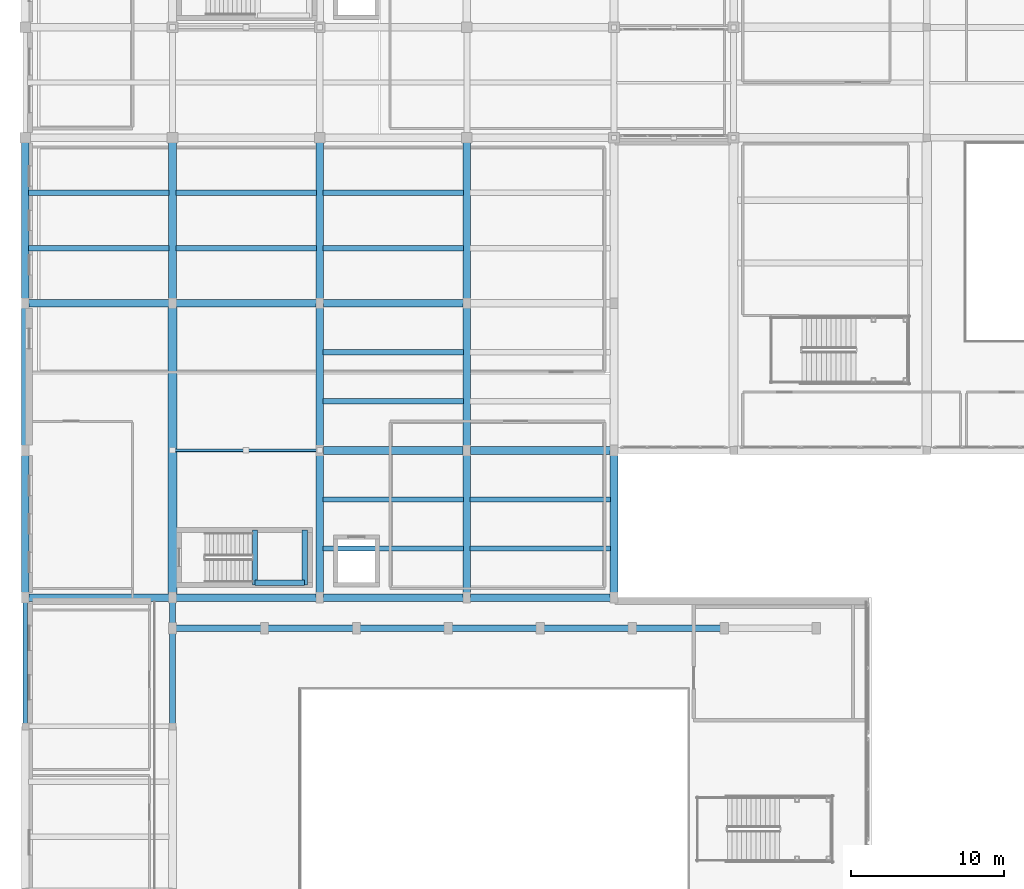
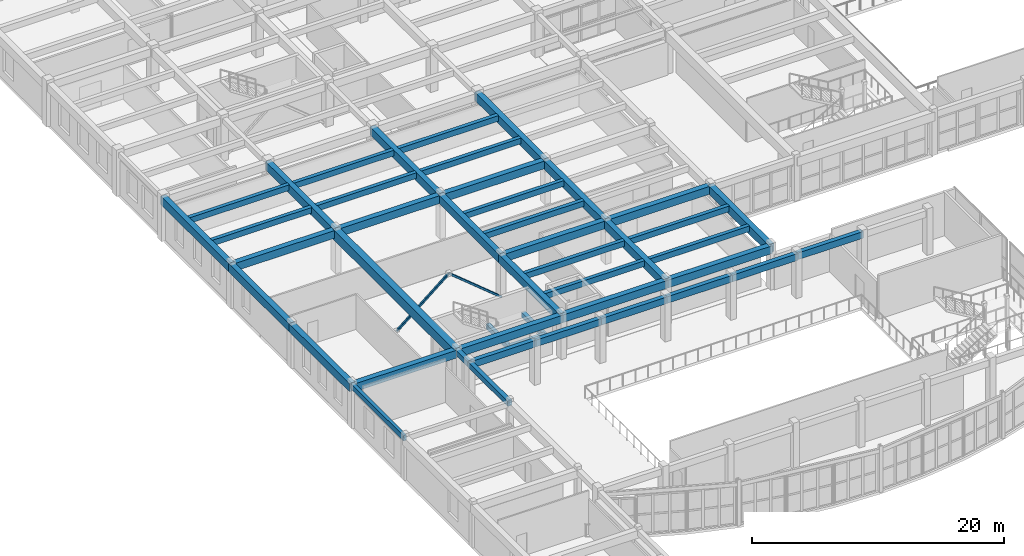
# One storey, part 12 of 92: 45 beams, 2 members.
"""IFC4 building model written with IfcOpenShell, lengths in metres."""

import ifcopenshell
import ifcopenshell.guid

model = None  # the IFC model being written
_history = None  # IfcOwnerHistory: only IFC2X3 demands one
_inside = {}  # id of a spatial element -> (the spatial element, [elements in it])
_under = {}  # id of a project, library or spatial element -> (it, [spatial elements below it])
_declared = {}  # id of a project -> (the project, [libraries it declares])
_typed = {}  # id of a type object -> (the type object, [elements of that type])
_made_of = {}  # id of a material, layer set ... -> (it, [elements and type objects made of it])


def new_model(schema):
    """Start an empty IFC model of exactly this schema.

    Asked for "IFC4X3", IfcOpenShell would pick the latest addendum, in which some entities
    have other attributes; the version numbers below select the first issue.
    IFC2X3 requires an IfcOwnerHistory on every rooted entity: one is made here for all.
    """
    global model, _history
    if schema == "IFC4X3":
        model = ifcopenshell.file(schema_version=(4, 3, 0, 0))
    else:
        model = ifcopenshell.file(schema=schema)
    _inside.clear()
    _under.clear()
    _declared.clear()
    _typed.clear()
    _made_of.clear()
    _history = None
    if model.schema == "IFC2X3":
        org = make("IfcOrganization", Name="unknown")
        user = make(
            "IfcPersonAndOrganization",
            ThePerson=make("IfcPerson", FamilyName="unknown"),
            TheOrganization=org,
        )
        app = make(
            "IfcApplication",
            ApplicationDeveloper=org,
            Version="unknown",
            ApplicationFullName="unknown",
            ApplicationIdentifier="unknown",
        )
        _history = make(
            "IfcOwnerHistory",
            OwningUser=user,
            OwningApplication=app,
            ChangeAction="ADDED",
            CreationDate=0,
        )
    return model


def make(cls, **values):
    """One entity of the class cls with the attributes given. An attribute that is None is left unset."""
    return model.create_entity(
        cls, **{name: value for name, value in values.items() if value is not None}
    )


def rooted(cls, **values):
    """An entity with a GlobalId (a new one), such as an element, a storey or a relation."""
    return make(cls, GlobalId=ifcopenshell.guid.new(), OwnerHistory=_history, **values)


def si_unit(unit_type, name, prefix=None):
    """IfcSIUnit, for example si_unit("LENGTHUNIT", "METRE", prefix="MILLI")."""
    return make("IfcSIUnit", UnitType=unit_type, Prefix=prefix, Name=name)


def assignment(units):
    """IfcUnitAssignment: the units of a project."""
    return None if units is None else make("IfcUnitAssignment", Units=units)


def point(xyz):
    """IfcCartesianPoint."""
    return None if xyz is None else make("IfcCartesianPoint", Coordinates=xyz)


def direction(xyz):
    """IfcDirection."""
    return None if xyz is None else make("IfcDirection", DirectionRatios=xyz)


def frame(location, z_axis=None, x_axis=None):
    """IfcAxis2Placement3D, a coordinate frame: its origin and axes. An axis left out is left unset."""
    return make(
        "IfcAxis2Placement3D",
        Location=point(location),
        Axis=direction(z_axis),
        RefDirection=direction(x_axis),
    )


def frame_2d(location, x_axis=None):
    """IfcAxis2Placement2D, a coordinate frame in the plane: its origin and x axis."""
    return make(
        "IfcAxis2Placement2D", Location=point(location), RefDirection=direction(x_axis)
    )


def origin():
    """The frame at (0, 0, 0) with its axes left unset."""
    return frame((0.0, 0.0, 0.0))


def origin_2d():
    """The frame at (0, 0) in the plane with its x axis left unset."""
    return frame_2d((0.0, 0.0))


def place(relative_to, where):
    """IfcLocalPlacement: puts the frame where relative to a parent placement (None: the world)."""
    return make(
        "IfcLocalPlacement", PlacementRelTo=relative_to, RelativePlacement=where
    )


def context(
    kind, dimensions, precision=None, world=None, true_north=None, identifier=None
):
    """IfcGeometricRepresentationContext, for example the 3D "Model" context."""
    return make(
        "IfcGeometricRepresentationContext",
        ContextIdentifier=identifier,
        ContextType=kind,
        CoordinateSpaceDimension=dimensions,
        Precision=precision,
        WorldCoordinateSystem=world,
        TrueNorth=true_north,
    )


def subcontext(parent, identifier, kind, view, scale=None):
    """IfcGeometricRepresentationSubContext, for example "Body" below "Model"."""
    return make(
        "IfcGeometricRepresentationSubContext",
        ContextIdentifier=identifier,
        ContextType=kind,
        ParentContext=parent,
        TargetScale=scale,
        TargetView=view,
    )


def project(units=None, contexts=None):
    """IfcProject with its units and contexts."""
    return rooted(
        "IfcProject",
        Name="project",
        RepresentationContexts=contexts,
        UnitsInContext=assignment(units),
    )


def spatial(cls, under=None, at=None, **own):
    """A site, building, storey or space (cls), placed at a placement, below another one or the project."""
    s = rooted(cls, ObjectPlacement=at, **own)
    if under is not None:
        _under.setdefault(under.id(), (under, []))[1].append(s)
    return s


def profile(cls, at=None, kind="AREA", **sizes):
    """A parametric profile (cls). Its sizes go by their IFC names, for example OverallWidth=200.0."""
    return make(cls, ProfileType=kind, Position=at, **sizes)


def rectangle(**sizes):
    """IfcRectangleProfileDef."""
    return profile("IfcRectangleProfileDef", **sizes)


def hollow_rectangle(**sizes):
    """IfcRectangleHollowProfileDef."""
    return profile("IfcRectangleHollowProfileDef", **sizes)


def extrude(swept, where, along, depth):
    """IfcExtrudedAreaSolid: the profile swept, set in the frame where, extruded along a direction by depth."""
    return make(
        "IfcExtrudedAreaSolid",
        SweptArea=swept,
        Position=where,
        ExtrudedDirection=direction(along),
        Depth=depth,
    )


def shape(context_of_items, identifier, shape_type, items):
    """IfcShapeRepresentation: the items that make up one representation, for example the "Body"."""
    return make(
        "IfcShapeRepresentation",
        ContextOfItems=context_of_items,
        RepresentationIdentifier=identifier,
        RepresentationType=shape_type,
        Items=items,
    )


def material(Name=None, Category=None):
    """IfcMaterial."""
    return make("IfcMaterial", Name=Name, Category=Category)


def material_profile(
    of_material, cross_section, Name=None, Category=None, Priority=None
):
    """IfcMaterialProfile: a cross section and its material."""
    return make(
        "IfcMaterialProfile",
        Name=Name,
        Material=of_material,
        Profile=cross_section,
        Priority=Priority,
        Category=Category,
    )


def profile_set(profiles, Name=None, composite=None):
    """IfcMaterialProfileSet."""
    return make(
        "IfcMaterialProfileSet",
        Name=Name,
        MaterialProfiles=profiles,
        CompositeProfile=composite,
    )


def made_of(thing, what):
    """Note that an element or type object is made of a material, layer set ...; save() writes the relation."""
    if what is not None:
        _made_of.setdefault(what.id(), (what, []))[1].append(thing)
    return thing


def type_object(cls, material=None, **own):
    """A type object (cls), such as IfcWallType, which elements share."""
    return made_of(rooted(cls, **own), material)


def element(
    cls,
    number,
    at=None,
    inside=None,
    cuts=None,
    type_object=None,
    material=None,
    context=None,
    identifier="Body",
    shape_type=None,
    held_by="IfcProductDefinitionShape",
    body=None,
    shapes=None,
    **own,
):
    """One element of the class cls, such as IfcWall. Its Tag is "e" and its number.

    at: its placement. inside: the storey or other place that contains it. cuts: it is an
    opening in that element (IfcRelVoidsElement). A single representation is given by context,
    identifier, shape_type and body (its items); several are given by shapes. held_by: the class
    of the entity that holds the representations. save() writes the other relations.
    """
    e = rooted(cls, Tag="e%d" % number, ObjectPlacement=at, **own)
    if body is not None:
        shapes = [shape(context, identifier, shape_type, body)]
    if shapes is not None:
        e.Representation = make(held_by, Representations=shapes)
    if inside is not None:
        _inside.setdefault(inside.id(), (inside, []))[1].append(e)
    if cuts is not None:
        rooted(
            "IfcRelVoidsElement", RelatingBuildingElement=cuts, RelatedOpeningElement=e
        )
    if type_object is not None:
        _typed.setdefault(type_object.id(), (type_object, []))[1].append(e)
    return made_of(e, material)


def aggregate(whole, parts):
    """IfcRelAggregates: a whole, such as a stair, and the parts it consists of."""
    return rooted("IfcRelAggregates", RelatingObject=whole, RelatedObjects=parts)


def save(model, path):
    """Write the relations noted so far, then the file.

    IfcRelAggregates (storeys below a building ...), IfcRelContainedInSpatialStructure (elements
    in a storey), IfcRelDefinesByType, IfcRelAssociatesMaterial and IfcRelDeclares: one each for
    every whole, place, type object, material and project.
    """
    for whole, parts in _under.values():
        aggregate(whole, parts)
    for where, things in _inside.values():
        rooted(
            "IfcRelContainedInSpatialStructure",
            RelatedElements=things,
            RelatingStructure=where,
        )
    for kind, things in _typed.values():
        rooted("IfcRelDefinesByType", RelatedObjects=things, RelatingType=kind)
    for what, things in _made_of.values():
        rooted("IfcRelAssociatesMaterial", RelatedObjects=things, RelatingMaterial=what)
    for by, libraries in _declared.values():
        rooted("IfcRelDeclares", RelatingContext=by, RelatedDefinitions=libraries)
    model.write(path)


model = new_model("IFC4")

# Units and contexts
model_context = context("Model", 3, precision=1e-05, world=origin(), true_north=direction((0.0, 1.0)))
body_context = subcontext(model_context, "Body", "Model", "MODEL_VIEW")
ifc_project = project(units=[si_unit("LENGTHUNIT", "METRE"), si_unit("AREAUNIT", "SQUARE_METRE"), si_unit("VOLUMEUNIT", "CUBIC_METRE"), si_unit("PLANEANGLEUNIT", "RADIAN"), si_unit("MASSUNIT", "GRAM", prefix="KILO")], contexts=[model_context])

# Site, building, storey
site_placement = place(None, origin())
site = spatial("IfcSite", under=ifc_project, at=site_placement, CompositionType="ELEMENT")
building_placement = place(site_placement, origin())
building = spatial("IfcBuilding", under=site, at=building_placement, Name="Tarnavel Promenade Courthouse", CompositionType="ELEMENT")
storey_placement = place(building_placement, frame((0.0, 0.0, 5.39990234375)))
storey = spatial("IfcBuildingStorey", under=building, at=storey_placement, Name="L02", CompositionType="ELEMENT", Elevation=5.39990234375)

# Beams
ifc_material_1 = material(Name="Concrete C40/50", Category="concrete")
ifc_material_profile_1 = material_profile(ifc_material_1, rectangle(XDim=0.35009765625, YDim=0.550048828125, at=origin_2d()), Name="PT 350x550")
ifc_profile_set_1 = profile_set([ifc_material_profile_1], Name="Concrete C40/50")
beam_type_1 = type_object("IfcBeamType", Name="Concrete C40/50 BM-PT-350x550 (PT 350x550)", PredefinedType="JOIST", material=ifc_profile_set_1)
for number, where, z_axis, x_axis, name in (
    (1, (19.419921875, 40.39990234375, 3.920166015625), (1.0, 0.0, 0.0), (0.0, 1.0, 0.0), "L02 Secondary Floor Rib 1374"),
    (2, (19.419921875, 43.60009765625, 3.920166015625), (1.0, 0.0, 0.0), (0.0, 1.0, 0.0), "L02 Secondary Floor Rib 1375"),
):
    element("IfcBeam", number, at=place(storey_placement, frame(where, z_axis=z_axis, x_axis=x_axis)), inside=storey, type_object=beam_type_1, Name=name, PredefinedType="JOIST", context=body_context, shape_type="SweptSolid", body=[
        extrude(rectangle(XDim=0.35009765625, YDim=0.550048828125, at=origin_2d()), origin(), (0.0, 0.0, 1.0), 9.16015625),
    ])
for number, where, z_axis, x_axis, name in (
    (3, (29.02001953125, 40.39990234375, 3.920166015625), (1.0, 0.0, 0.0), (0.0, 1.0, 0.0), "L02 Secondary Floor Rib 1376"),
    (4, (29.02001953125, 43.60009765625, 3.920166015625), (1.0, 0.0, 0.0), (0.0, 1.0, 0.0), "L02 Secondary Floor Rib 1377"),
):
    element("IfcBeam", number, at=place(storey_placement, frame(where, z_axis=z_axis, x_axis=x_axis)), inside=storey, type_object=beam_type_1, Name=name, PredefinedType="JOIST", context=body_context, shape_type="SweptSolid", body=[
        extrude(rectangle(XDim=0.35009765625, YDim=0.550048828125, at=origin_2d()), origin(), (0.0, 0.0, 1.0), 9.159912109375),
    ])
for number, where, z_axis, x_axis, name in (
    (5, (19.419921875, 50.0, 3.920166015625), (1.0, 0.0, 0.0), (0.0, 1.0, 0.0), "L02 Secondary Floor Rib 1378"),
    (6, (19.419921875, 53.199951171875, 3.920166015625), (1.0, 0.0, 0.0), (0.0, 1.0, 0.0), "L02 Secondary Floor Rib 1379"),
):
    element("IfcBeam", number, at=place(storey_placement, frame(where, z_axis=z_axis, x_axis=x_axis)), inside=storey, type_object=beam_type_1, Name=name, PredefinedType="JOIST", context=body_context, shape_type="SweptSolid", body=[
        extrude(rectangle(XDim=0.35009765625, YDim=0.550048828125, at=origin_2d()), origin(), (0.0, 0.0, 1.0), 9.16015625),
    ])
for number, where, z_axis, x_axis, name in (
    (7, (0.219970703125, 60.0, 3.920166015625), (1.0, 0.0, 0.0), (0.0, 1.0, 0.0), "L02 Secondary Floor Rib 1382"),
    (8, (0.219970703125, 63.60009765625, 3.920166015625), (1.0, 0.0, 0.0), (0.0, 1.0, 0.0), "L02 Secondary Floor Rib 1383"),
    (9, (9.820068359375, 60.0, 3.920166015625), (1.0, 0.0, 0.0), (0.0, 1.0, 0.0), "L02 Secondary Floor Rib 1384"),
    (10, (9.820068359375, 63.60009765625, 3.920166015625), (1.0, 0.0, 0.0), (0.0, 1.0, 0.0), "L02 Secondary Floor Rib 1385"),
):
    element("IfcBeam", number, at=place(storey_placement, frame(where, z_axis=z_axis, x_axis=x_axis)), inside=storey, type_object=beam_type_1, Name=name, PredefinedType="JOIST", context=body_context, shape_type="SweptSolid", body=[
        extrude(rectangle(XDim=0.35009765625, YDim=0.550048828125, at=origin_2d()), origin(), (0.0, 0.0, 1.0), 9.159912109375),
    ])
for number, where, z_axis, x_axis, name in (
    (11, (19.419921875, 60.0, 3.920166015625), (1.0, 0.0, 0.0), (0.0, 1.0, 0.0), "L02 Secondary Floor Rib 1386"),
    (12, (19.419921875, 63.60009765625, 3.920166015625), (1.0, 0.0, 0.0), (0.0, 1.0, 0.0), "L02 Secondary Floor Rib 1387"),
):
    element("IfcBeam", number, at=place(storey_placement, frame(where, z_axis=z_axis, x_axis=x_axis)), inside=storey, type_object=beam_type_1, Name=name, PredefinedType="JOIST", context=body_context, shape_type="SweptSolid", body=[
        extrude(rectangle(XDim=0.35009765625, YDim=0.550048828125, at=origin_2d()), origin(), (0.0, 0.0, 1.0), 9.16015625),
    ])
ifc_material_profile_2 = material_profile(ifc_material_1, rectangle(XDim=0.5, YDim=0.800048828125, at=origin_2d()), Name="PT 500x800")
ifc_profile_set_2 = profile_set([ifc_material_profile_2], Name="Concrete C40/50")
beam_type_2 = type_object("IfcBeamType", Name="Concrete C40/50 BM-PT-500x800 (PT 500x800)", PredefinedType="T_BEAM", material=ifc_profile_set_2)
beam_1_placement = place(storey_placement, frame((0.0, 37.199951171875, 3.795166015625), z_axis=(0.0, 1.0, 0.0), x_axis=(-1.0, 0.0, 0.0)))
element("IfcBeam", 13, at=beam_1_placement, inside=storey, type_object=beam_type_2, Name="L02 Transverse Girder 1229", PredefinedType="T_BEAM", context=body_context, shape_type="SweptSolid", body=[
    extrude(rectangle(XDim=0.5, YDim=0.800048828125, at=origin_2d()), origin(), (0.0, 0.0, 1.0), 9.60009765625),
])
beam_2_placement = place(storey_placement, frame((0.0, 46.800048828125, 3.795166015625), z_axis=(0.0, 1.0, 0.0), x_axis=(-1.0, 0.0, 0.0)))
element("IfcBeam", 14, at=beam_2_placement, inside=storey, type_object=beam_type_2, Name="L02 Transverse Girder 1230", PredefinedType="T_BEAM", context=body_context, shape_type="SweptSolid", body=[
    extrude(rectangle(XDim=0.5, YDim=0.800048828125, at=origin_2d()), origin(), (0.0, 0.0, 1.0), 9.599853515625),
])
for number, where, z_axis, x_axis, name in (
    (15, (0.0, 56.39990234375, 3.795166015625), (0.0, 1.0, 0.0), (-1.0, 0.0, 0.0), "L02 Transverse Girder 1231"),
    (16, (9.60009765625, 56.39990234375, 3.795166015625), (0.0, 1.0, 0.0), (-1.0, 0.0, 0.0), "L02 Transverse Girder 1243"),
):
    element("IfcBeam", number, at=place(storey_placement, frame(where, z_axis=z_axis, x_axis=x_axis)), inside=storey, type_object=beam_type_2, Name=name, PredefinedType="T_BEAM", context=body_context, shape_type="SweptSolid", body=[
        extrude(rectangle(XDim=0.5, YDim=0.800048828125, at=origin_2d()), origin(), (0.0, 0.0, 1.0), 10.800048828125),
    ])
beam_3_placement = place(storey_placement, frame((19.199951171875, 37.199951171875, 3.795166015625), z_axis=(0.0, 1.0, 0.0), x_axis=(-1.0, 0.0, 0.0)))
element("IfcBeam", 17, at=beam_3_placement, inside=storey, type_object=beam_type_2, Name="L02 Transverse Girder 1248", PredefinedType="T_BEAM", context=body_context, shape_type="SweptSolid", body=[
    extrude(rectangle(XDim=0.5, YDim=0.800048828125, at=origin_2d()), origin(), (0.0, 0.0, 1.0), 9.60009765625),
])
beam_4_placement = place(storey_placement, frame((19.199951171875, 46.800048828125, 3.795166015625), z_axis=(0.0, 1.0, 0.0), x_axis=(-1.0, 0.0, 0.0)))
element("IfcBeam", 18, at=beam_4_placement, inside=storey, type_object=beam_type_2, Name="L02 Transverse Girder 1249", PredefinedType="T_BEAM", context=body_context, shape_type="SweptSolid", body=[
    extrude(rectangle(XDim=0.5, YDim=0.800048828125, at=origin_2d()), origin(), (0.0, 0.0, 1.0), 9.599853515625),
])
beam_5_placement = place(storey_placement, frame((19.199951171875, 56.39990234375, 3.795166015625), z_axis=(0.0, 1.0, 0.0), x_axis=(-1.0, 0.0, 0.0)))
element("IfcBeam", 19, at=beam_5_placement, inside=storey, type_object=beam_type_2, Name="L02 Transverse Girder 1250", PredefinedType="T_BEAM", context=body_context, shape_type="SweptSolid", body=[
    extrude(rectangle(XDim=0.5, YDim=0.800048828125, at=origin_2d()), origin(), (0.0, 0.0, 1.0), 10.800048828125),
])
beam_6_placement = place(storey_placement, frame((28.800048828125, 37.199951171875, 3.795166015625), z_axis=(0.0, 1.0, 0.0), x_axis=(-1.0, 0.0, 0.0)))
element("IfcBeam", 20, at=beam_6_placement, inside=storey, type_object=beam_type_2, Name="L02 Transverse Girder 1255", PredefinedType="T_BEAM", context=body_context, shape_type="SweptSolid", body=[
    extrude(rectangle(XDim=0.5, YDim=0.800048828125, at=origin_2d()), origin(), (0.0, 0.0, 1.0), 9.60009765625),
])
beam_7_placement = place(storey_placement, frame((28.800048828125, 46.800048828125, 3.795166015625), z_axis=(0.0, 1.0, 0.0), x_axis=(-1.0, 0.0, 0.0)))
element("IfcBeam", 21, at=beam_7_placement, inside=storey, type_object=beam_type_2, Name="L02 Transverse Girder 1256", PredefinedType="T_BEAM", context=body_context, shape_type="SweptSolid", body=[
    extrude(rectangle(XDim=0.5, YDim=0.800048828125, at=origin_2d()), origin(), (0.0, 0.0, 1.0), 9.599853515625),
])
beam_8_placement = place(storey_placement, frame((28.800048828125, 56.39990234375, 3.795166015625), z_axis=(0.0, 1.0, 0.0), x_axis=(-1.0, 0.0, 0.0)))
element("IfcBeam", 22, at=beam_8_placement, inside=storey, type_object=beam_type_2, Name="L02 Transverse Girder 1257", PredefinedType="T_BEAM", context=body_context, shape_type="SweptSolid", body=[
    extrude(rectangle(XDim=0.5, YDim=0.800048828125, at=origin_2d()), origin(), (0.0, 0.0, 1.0), 10.800048828125),
])
beam_9_placement = place(storey_placement, frame((38.39990234375, 37.199951171875, 3.795166015625), z_axis=(0.0, 1.0, 0.0), x_axis=(-1.0, 0.0, 0.0)))
element("IfcBeam", 23, at=beam_9_placement, inside=storey, type_object=beam_type_2, Name="L02 Transverse Girder 1262", PredefinedType="T_BEAM", context=body_context, shape_type="SweptSolid", body=[
    extrude(rectangle(XDim=0.5, YDim=0.800048828125, at=origin_2d()), origin(), (0.0, 0.0, 1.0), 9.60009765625),
])
ifc_material_profile_3 = material_profile(ifc_material_1, rectangle(XDim=0.60009765625, YDim=0.949951171875, at=origin_2d()), Name="PT 600x950")
ifc_profile_set_3 = profile_set([ifc_material_profile_3], Name="Concrete C40/50")
beam_type_3 = type_object("IfcBeamType", Name="Concrete C40/50 BM-PT-600x950 (PT 600x950)", PredefinedType="T_BEAM", material=ifc_profile_set_3)
beam_10_placement = place(storey_placement, frame((9.60009765625, 37.199951171875, 3.72021484375), z_axis=(0.0, 1.0, 0.0), x_axis=(-1.0, 0.0, 0.0)))
element("IfcBeam", 24, at=beam_10_placement, inside=storey, type_object=beam_type_3, Name="L02 Transverse Girder 1242", PredefinedType="T_BEAM", context=body_context, shape_type="SweptSolid", body=[
    extrude(rectangle(XDim=0.60009765625, YDim=0.949951171875, at=origin_2d()), origin(), (0.0, 0.0, 1.0), 19.199951171875),
])
ifc_material_profile_4 = material_profile(ifc_material_1, rectangle(XDim=0.35009765625, YDim=0.449951171875, at=origin_2d()), Name="RC 350x450")
ifc_profile_set_4 = profile_set([ifc_material_profile_4], Name="Concrete C40/50")
beam_type_4 = type_object("IfcBeamType", Name="Concrete C40/50 BM-RC-350x450 (RC 350x450)", PredefinedType="BEAM", material=ifc_profile_set_4)
for number, where, z_axis, x_axis, name in (
    (25, (14.97998046875, 38.02001953125, 1.820068359375), (0.0, 1.0, 0.0), (-1.0, 0.0, 0.0), "L02 ST-05 Mid-Landing Support Beam Near"),
    (26, (18.219970703125, 38.02001953125, 1.820068359375), (0.0, 1.0, 0.0), (-1.0, 0.0, 0.0), "L02 ST-05 Mid-Landing Support Beam Far"),
):
    element("IfcBeam", number, at=place(storey_placement, frame(where, z_axis=z_axis, x_axis=x_axis)), inside=storey, type_object=beam_type_4, Name=name, PredefinedType="BEAM", context=body_context, shape_type="SweptSolid", body=[
        extrude(rectangle(XDim=0.35009765625, YDim=0.449951171875, at=origin_2d()), origin(), (0.0, 0.0, 1.0), 3.60009765625),
    ])
beam_11_placement = place(storey_placement, frame((14.97998046875, 38.169921875, 1.820068359375), z_axis=(1.0, 0.0, 0.0), x_axis=(0.0, 1.0, 0.0)))
element("IfcBeam", 27, at=beam_11_placement, inside=storey, type_object=beam_type_4, Name="L02 ST-05 Mid-Landing Edge Trimmer", PredefinedType="BEAM", context=body_context, shape_type="SweptSolid", body=[
    extrude(rectangle(XDim=0.35009765625, YDim=0.449951171875, at=origin_2d()), origin(), (0.0, 0.0, 1.0), 3.239990234375),
])
ifc_material_profile_5 = material_profile(ifc_material_1, rectangle(XDim=0.39990234375, YDim=0.5, at=origin_2d()), Name="RC 400x500")
ifc_profile_set_5 = profile_set([ifc_material_profile_5], Name="Concrete C40/50")
beam_type_5 = type_object("IfcBeamType", Name="Concrete C40/50 BM-RC-400x500 (RC 400x500)", PredefinedType="BEAM", material=ifc_profile_set_5)
beam_12_placement = place(storey_placement, frame((9.60009765625, 28.800048828125, 3.945068359375), z_axis=(0.0, 1.0, 0.0), x_axis=(-1.0, 0.0, 0.0)))
element("IfcBeam", 28, at=beam_12_placement, inside=storey, type_object=beam_type_5, Name="L02 Transverse Girder 1240", PredefinedType="BEAM", context=body_context, shape_type="SweptSolid", body=[
    extrude(rectangle(XDim=0.39990234375, YDim=0.5, at=origin_2d()), origin(), (0.0, 0.0, 1.0), 6.39990234375),
])
beam_13_placement = place(storey_placement, frame((9.60009765625, 35.199951171875, 3.945068359375), z_axis=(0.0, 1.0, 0.0), x_axis=(-1.0, 0.0, 0.0)))
element("IfcBeam", 29, at=beam_13_placement, inside=storey, type_object=beam_type_5, Name="L02 Transverse Girder 1241", PredefinedType="BEAM", context=body_context, shape_type="SweptSolid", body=[
    extrude(rectangle(XDim=0.39990234375, YDim=0.5, at=origin_2d()), origin(), (0.0, 0.0, 1.0), 2.0),
])
ifc_material_profile_6 = material_profile(ifc_material_1, rectangle(XDim=0.39990234375, YDim=0.64990234375, at=origin_2d()), Name="RC 400x650")
ifc_profile_set_6 = profile_set([ifc_material_profile_6], Name="Concrete C40/50")
beam_type_6 = type_object("IfcBeamType", Name="Concrete C40/50 BM-RC-400x650 (RC 400x650)", PredefinedType="BEAM", material=ifc_profile_set_6)
for number, where, z_axis, x_axis, name in (
    (30, (9.60009765625, 35.199951171875, 3.8701171875), (1.0, 0.0, 0.0), (0.0, 1.0, 0.0), "L02 Primary Longitudinal Beam 1088"),
    (31, (15.60009765625, 35.199951171875, 3.8701171875), (1.0, 0.0, 0.0), (0.0, 1.0, 0.0), "L02 Primary Longitudinal Beam 1089"),
    (32, (21.60009765625, 35.199951171875, 3.8701171875), (1.0, 0.0, 0.0), (0.0, 1.0, 0.0), "L02 Primary Longitudinal Beam 1090"),
    (33, (27.60009765625, 35.199951171875, 3.8701171875), (1.0, 0.0, 0.0), (0.0, 1.0, 0.0), "L02 Primary Longitudinal Beam 1091"),
    (34, (33.60009765625, 35.199951171875, 3.8701171875), (1.0, 0.0, 0.0), (0.0, 1.0, 0.0), "L02 Primary Longitudinal Beam 1092"),
    (35, (39.60009765625, 35.199951171875, 3.91015625), (1.0, 0.0, 0.0), (0.0, 1.0, 0.0), "L02 Primary Longitudinal Beam 1093"),
):
    element("IfcBeam", number, at=place(storey_placement, frame(where, z_axis=z_axis, x_axis=x_axis)), inside=storey, type_object=beam_type_6, Name=name, PredefinedType="BEAM", context=body_context, shape_type="SweptSolid", body=[
        extrude(rectangle(XDim=0.39990234375, YDim=0.64990234375, at=origin_2d()), origin(), (0.0, 0.0, 1.0), 6.0),
    ])
ifc_material_profile_7 = material_profile(ifc_material_1, rectangle(XDim=0.5, YDim=0.75, at=origin_2d()), Name="RC 500x750")
ifc_profile_set_7 = profile_set([ifc_material_profile_7], Name="Concrete C40/50")
beam_type_7 = type_object("IfcBeamType", Name="Concrete C40/50 BM-RC-500x750 (RC 500x750)", PredefinedType="T_BEAM", material=ifc_profile_set_7)
beam_14_placement = place(storey_placement, frame((0.0, 37.199951171875, 3.820068359375), z_axis=(1.0, 0.0, 0.0), x_axis=(0.0, 1.0, 0.0)))
element("IfcBeam", 36, at=beam_14_placement, inside=storey, type_object=beam_type_7, Name="L02 Primary Longitudinal Beam 1095", PredefinedType="T_BEAM", context=body_context, shape_type="SweptSolid", body=[
    extrude(rectangle(XDim=0.5, YDim=0.75, at=origin_2d()), origin(), (0.0, 0.0, 1.0), 9.60009765625),
])
beam_15_placement = place(storey_placement, frame((9.60009765625, 37.199951171875, 3.820068359375), z_axis=(1.0, 0.0, 0.0), x_axis=(0.0, 1.0, 0.0)))
element("IfcBeam", 37, at=beam_15_placement, inside=storey, type_object=beam_type_7, Name="L02 Primary Longitudinal Beam 1096", PredefinedType="T_BEAM", context=body_context, shape_type="SweptSolid", body=[
    extrude(rectangle(XDim=0.5, YDim=0.75, at=origin_2d()), origin(), (0.0, 0.0, 1.0), 9.599853515625),
])
beam_16_placement = place(storey_placement, frame((19.199951171875, 37.199951171875, 3.820068359375), z_axis=(1.0, 0.0, 0.0), x_axis=(0.0, 1.0, 0.0)))
element("IfcBeam", 38, at=beam_16_placement, inside=storey, type_object=beam_type_7, Name="L02 Primary Longitudinal Beam 1097", PredefinedType="T_BEAM", context=body_context, shape_type="SweptSolid", body=[
    extrude(rectangle(XDim=0.5, YDim=0.75, at=origin_2d()), origin(), (0.0, 0.0, 1.0), 9.60009765625),
])
beam_17_placement = place(storey_placement, frame((28.800048828125, 37.199951171875, 3.820068359375), z_axis=(1.0, 0.0, 0.0), x_axis=(0.0, 1.0, 0.0)))
element("IfcBeam", 39, at=beam_17_placement, inside=storey, type_object=beam_type_7, Name="L02 Primary Longitudinal Beam 1098", PredefinedType="T_BEAM", context=body_context, shape_type="SweptSolid", body=[
    extrude(rectangle(XDim=0.5, YDim=0.75, at=origin_2d()), origin(), (0.0, 0.0, 1.0), 9.599853515625),
])
beam_18_placement = place(storey_placement, frame((19.199951171875, 46.800048828125, 3.820068359375), z_axis=(1.0, 0.0, 0.0), x_axis=(0.0, 1.0, 0.0)))
element("IfcBeam", 40, at=beam_18_placement, inside=storey, type_object=beam_type_7, Name="L02 Primary Longitudinal Beam 1106", PredefinedType="T_BEAM", context=body_context, shape_type="SweptSolid", body=[
    extrude(rectangle(XDim=0.5, YDim=0.75, at=origin_2d()), origin(), (0.0, 0.0, 1.0), 9.60009765625),
])
beam_19_placement = place(storey_placement, frame((28.800048828125, 46.800048828125, 3.820068359375), z_axis=(1.0, 0.0, 0.0), x_axis=(0.0, 1.0, 0.0)))
element("IfcBeam", 41, at=beam_19_placement, inside=storey, type_object=beam_type_7, Name="L02 Primary Longitudinal Beam 1107", PredefinedType="T_BEAM", context=body_context, shape_type="SweptSolid", body=[
    extrude(rectangle(XDim=0.5, YDim=0.75, at=origin_2d()), origin(), (0.0, 0.0, 1.0), 9.599853515625),
])
beam_20_placement = place(storey_placement, frame((0.0, 56.39990234375, 3.820068359375), z_axis=(1.0, 0.0, 0.0), x_axis=(0.0, 1.0, 0.0)))
element("IfcBeam", 42, at=beam_20_placement, inside=storey, type_object=beam_type_7, Name="L02 Primary Longitudinal Beam 1116", PredefinedType="T_BEAM", context=body_context, shape_type="SweptSolid", body=[
    extrude(rectangle(XDim=0.5, YDim=0.75, at=origin_2d()), origin(), (0.0, 0.0, 1.0), 9.60009765625),
])
beam_21_placement = place(storey_placement, frame((9.60009765625, 56.39990234375, 3.820068359375), z_axis=(1.0, 0.0, 0.0), x_axis=(0.0, 1.0, 0.0)))
element("IfcBeam", 43, at=beam_21_placement, inside=storey, type_object=beam_type_7, Name="L02 Primary Longitudinal Beam 1117", PredefinedType="T_BEAM", context=body_context, shape_type="SweptSolid", body=[
    extrude(rectangle(XDim=0.5, YDim=0.75, at=origin_2d()), origin(), (0.0, 0.0, 1.0), 9.599853515625),
])
beam_22_placement = place(storey_placement, frame((19.199951171875, 56.39990234375, 3.820068359375), z_axis=(1.0, 0.0, 0.0), x_axis=(0.0, 1.0, 0.0)))
element("IfcBeam", 44, at=beam_22_placement, inside=storey, type_object=beam_type_7, Name="L02 Primary Longitudinal Beam 1118", PredefinedType="T_BEAM", context=body_context, shape_type="SweptSolid", body=[
    extrude(rectangle(XDim=0.5, YDim=0.75, at=origin_2d()), origin(), (0.0, 0.0, 1.0), 9.60009765625),
])
ifc_material_profile_8 = material_profile(ifc_material_1, rectangle(XDim=0.300048828125, YDim=0.5, at=origin_2d()), Name="RC 300x500")
ifc_profile_set_8 = profile_set([ifc_material_profile_8], Name="Concrete C40/50")
beam_type_8 = type_object("IfcBeamType", Name="Concrete C40/50 BM-SP-300x500 (RC 300x500)", PredefinedType="SPANDREL", material=ifc_profile_set_8)
beam_23_placement = place(storey_placement, frame((0.0, 28.800048828125, 3.945068359375), z_axis=(0.0, 1.0, 0.0), x_axis=(-1.0, 0.0, 0.0)))
element("IfcBeam", 45, at=beam_23_placement, inside=storey, type_object=beam_type_8, Name="L02 Transverse Girder 1228", PredefinedType="SPANDREL", context=body_context, shape_type="SweptSolid", body=[
    extrude(rectangle(XDim=0.300048828125, YDim=0.5, at=origin_2d()), origin(), (0.0, 0.0, 1.0), 8.39990234375),
])

# Members
ifc_material_2 = material(Name="Steel S355J2", Category="steel")
ifc_material_profile_9 = material_profile(ifc_material_2, hollow_rectangle(XDim=0.179931640625, YDim=0.179931640625, WallThickness=0.010009765625, InnerFilletRadius=0.010009765625, OuterFilletRadius=0.02001953125, at=origin_2d()), Name="SHS 180x180x10")
ifc_profile_set_9 = profile_set([ifc_material_profile_9], Name="Steel S355J2")
member_type = type_object("IfcMemberType", Name="Steel S355J2 MEM-BR-SHS180 (SHS 180x180x10)", PredefinedType="BRACE", material=ifc_profile_set_9)
for number, where, z_axis, x_axis, name in (
    (46, (9.60009765625, 46.800048828125, 0.0), (0.772538993723, 0.0, 0.634967324495), (0.0, 1.0, 0.0), "L02 V3 Chevron Brace A 044"),
    (47, (19.199951171875, 46.800048828125, 0.0), (-0.772554836083, 0.0, 0.634948049248), (0.0, -1.0, 0.0), "L02 V3 Chevron Brace B 044"),
):
    element("IfcMember", number, at=place(storey_placement, frame(where, z_axis=z_axis, x_axis=x_axis)), inside=storey, type_object=member_type, Name=name, PredefinedType="BRACE", context=body_context, shape_type="SweptSolid", body=[
        extrude(hollow_rectangle(XDim=0.179931640625, YDim=0.179931640625, WallThickness=0.010009765625, InnerFilletRadius=0.010009765625, OuterFilletRadius=0.02001953125, at=origin_2d()), origin(), (0.0, 0.0, 1.0), 6.213134765625),
    ])

save(model, "model.ifc")
